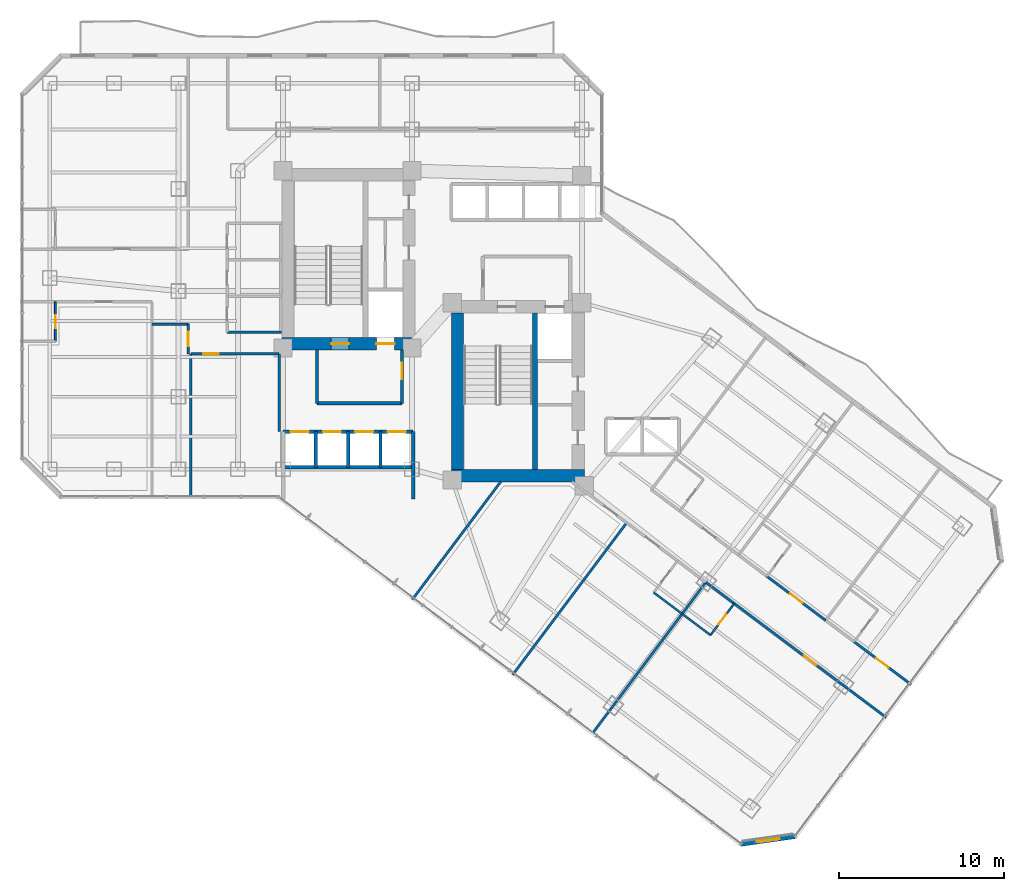
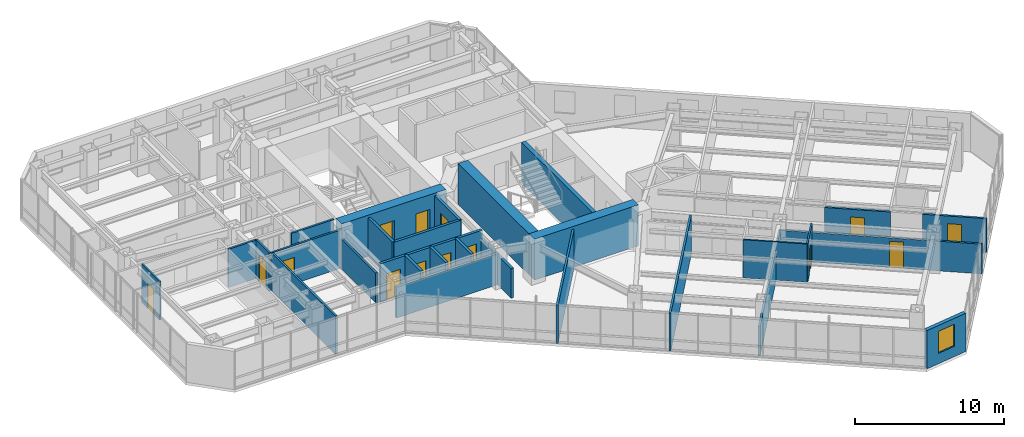
# One storey, part 28 of 36: 31 walls, 14 doors, 1 window, 15 openings.
"""IFC4 building model written with IfcOpenShell, lengths in metres."""

from ifc_helpers import new_model, si_unit, direction, frame, frame_2d, origin, place, context, subcontext, project, spatial, rectangle, extrude, material, layer, layer_set, type_object, element, fill, save


model = new_model("IFC4")

# Units and contexts
model_context = context("Model", 3, precision=1e-05, world=origin(), true_north=direction((0.0, 1.0)))
body_context = subcontext(model_context, "Body", "Model", "MODEL_VIEW")
ifc_project = project(units=[si_unit("LENGTHUNIT", "METRE"), si_unit("AREAUNIT", "SQUARE_METRE"), si_unit("VOLUMEUNIT", "CUBIC_METRE"), si_unit("PLANEANGLEUNIT", "RADIAN"), si_unit("MASSUNIT", "GRAM", prefix="KILO")], contexts=[model_context])

# Site, building, storey
site_placement = place(None, origin())
site = spatial("IfcSite", under=ifc_project, at=site_placement, CompositionType="ELEMENT")
building_placement = place(site_placement, origin())
building = spatial("IfcBuilding", under=site, at=building_placement, Name="Hatsunagi Terrace Concourse", CompositionType="ELEMENT")
storey_placement = place(building_placement, frame((0.0, 0.0, 84.64990234375)))
storey = spatial("IfcBuildingStorey", under=building, at=storey_placement, Name="L22", CompositionType="ELEMENT", Elevation=84.64990234375)

# Wall, openings, doors
ifc_material_1 = material(Name="Concrete Fc60", Category="concrete")
ifc_layer_1 = layer(ifc_material_1, 0.75)
ifc_layer_set_1 = layer_set([ifc_layer_1], Name="CoreShearWall_Fc60_750")
wall_type_1 = type_object("IfcWallType", Name="CoreShearWall_Fc60_750", PredefinedType="SHEAR", material=ifc_layer_set_1)
wall_1_placement = place(storey_placement, frame((25.469970703125, 32.81494140625, 0.0), z_axis=(0.0, 0.0, 1.0), x_axis=(1.0, 0.0, 0.0)))
wall_1 = element("IfcWall", 1, at=wall_1_placement, inside=storey, type_object=wall_type_1, Name="Core A Shear Wall S L22", PredefinedType="SHEAR", context=body_context, shape_type="SweptSolid", body=[
    extrude(rectangle(XDim=8.080078125, YDim=0.75, at=frame_2d((4.0400390625, 0.0))), origin(), (0.0, 0.0, 1.0), 3.35009765625),
])
opening_1_placement = place(wall_1_placement, frame((2.97998046875, 0.0, 0.0)))
opening_1 = element("IfcOpeningElement", 2, at=opening_1_placement, cuts=wall_1, Name="Opening DR-110S", PredefinedType="OPENING", context=body_context, shape_type="SweptSolid", body=[
    extrude(rectangle(XDim=1.10009765625, YDim=2.199951171875, at=frame_2d((0.550048828125, 1.10009765625))), frame((0.0, 0.385009765625, 0.0), z_axis=(0.0, -1.0, 0.0), x_axis=(1.0, 0.0, 0.0)), (0.0, 0.0, 1.0), 0.77001953125),
])
opening_2_placement = place(wall_1_placement, frame((5.72998046875, 0.0, 0.0)))
opening_2 = element("IfcOpeningElement", 3, at=opening_2_placement, cuts=wall_1, Name="Opening LD-01", PredefinedType="OPENING", context=body_context, shape_type="SweptSolid", body=[
    extrude(rectangle(XDim=1.10009765625, YDim=2.14990234375, at=frame_2d((0.550048828125, 1.074951171875))), frame((0.0, 0.385009765625, 0.0), z_axis=(0.0, -1.0, 0.0), x_axis=(1.0, 0.0, 0.0)), (0.0, 0.0, 1.0), 0.77001953125),
])
ifc_material_2 = material(Name="Stainless steel", Category="steel")
door_type_1 = type_object("IfcDoorType", Name="LiftLandingDoor_LD01", OperationType="SLIDING_TO_LEFT", PredefinedType="USERDEFINED", material=ifc_material_2)
door_1_placement = place(opening_2_placement, origin())
door_1 = element("IfcDoor", 4, at=door_1_placement, inside=storey, type_object=door_type_1, Name="Lift landing door FF-01 L22", ObjectType="SLIDING_LANDING_DOOR", OperationType="SLIDING_TO_LEFT", OverallHeight=2.14990234375, OverallWidth=1.10009765625, PredefinedType="USERDEFINED", context=body_context, shape_type="SweptSolid", body=[
    extrude(rectangle(XDim=1.10009765625, YDim=2.14990234375, at=frame_2d((0.550048828125, 1.074951171875))), frame((0.0, 0.02490234375, 0.0), z_axis=(0.0, -1.0, 0.0), x_axis=(1.0, 0.0, 0.0)), (0.0, 0.0, 1.0), 0.050048828125),
])
fill(opening_2, door_1)
ifc_material_3 = material(Name="Painted steel", Category="steel")
door_type_2 = type_object("IfcDoorType", Name="StairFireDoor_EI60_1100", OperationType="NOTDEFINED", PredefinedType="DOOR", material=ifc_material_3)
door_2_placement = place(opening_1_placement, origin())
door_2 = element("IfcDoor", 5, at=door_2_placement, inside=storey, type_object=door_type_2, Name="Stair ST-A Exit Door L22", OperationType="SINGLE_SWING_LEFT", OverallHeight=2.199951171875, OverallWidth=1.10009765625, PredefinedType="DOOR", context=body_context, shape_type="SweptSolid", body=[
    extrude(rectangle(XDim=1.10009765625, YDim=2.199951171875, at=frame_2d((0.550048828125, 1.10009765625))), frame((0.0, 0.02490234375, 0.0), z_axis=(0.0, -1.0, 0.0), x_axis=(1.0, 0.0, 0.0)), (0.0, 0.0, 1.0), 0.050048828125),
])
fill(opening_1, door_2)

# Walls
wall_2_placement = place(storey_placement, frame((35.739990234375, 24.81494140625, 0.0), z_axis=(0.0, 0.0, 1.0), x_axis=(1.0, 0.0, 0.0)))
element("IfcWall", 6, at=wall_2_placement, inside=storey, type_object=wall_type_1, Name="Core B Shear Wall S L22", PredefinedType="SHEAR", context=body_context, shape_type="SweptSolid", body=[
    extrude(rectangle(XDim=8.06005859375, YDim=0.75, at=frame_2d((4.030029296875, 0.0))), origin(), (0.0, 0.0, 1.0), 3.35009765625),
])
wall_3_placement = place(storey_placement, frame((36.114990234375, 25.18994140625, 0.0), z_axis=(0.0, 0.0, 1.0), x_axis=(0.0, 1.0, 0.0)))
element("IfcWall", 7, at=wall_3_placement, inside=storey, type_object=wall_type_1, Name="Core B Shear Wall W L22", PredefinedType="SHEAR", context=body_context, shape_type="SweptSolid", body=[
    extrude(rectangle(XDim=9.47998046875, YDim=0.75, at=frame_2d((4.739990234375, 0.0))), origin(), (0.0, 0.0, 1.0), 3.35009765625),
])
ifc_material_4 = material(Name="Concrete Fc48", Category="concrete")
ifc_layer_2 = layer(ifc_material_4, 0.300048828125)
ifc_layer_set_2 = layer_set([ifc_layer_2], Name="CoreStairDivider_Fc48_300")
wall_type_2 = type_object("IfcWallType", Name="CoreStairDivider_Fc48_300", PredefinedType="SHEAR", material=ifc_layer_set_2)
wall_4_placement = place(storey_placement, frame((40.81005859375, 25.18994140625, 0.0), z_axis=(0.0, 0.0, 1.0), x_axis=(0.0, 1.0, 0.0)))
element("IfcWall", 8, at=wall_4_placement, inside=storey, type_object=wall_type_2, Name="Core B Shear Wall D L22", PredefinedType="SHEAR", context=body_context, shape_type="SweptSolid", body=[
    extrude(rectangle(XDim=9.47998046875, YDim=0.300048828125, at=frame_2d((4.739990234375, 0.0))), origin(), (0.0, 0.0, 1.0), 3.35009765625),
])

# Wall, opening, door
ifc_material_5 = material(Name="Acoustic mineral board", Category="gypsum")
ifc_layer_3 = layer(ifc_material_5, 0.1201171875)
ifc_layer_set_3 = layer_set([ifc_layer_3], Name="PartitionWall_EI30_120")
wall_type_3 = type_object("IfcWallType", Name="PartitionWall_EI30_120", PredefinedType="PARTITIONING", material=ifc_layer_set_3)
wall_5_placement = place(storey_placement, frame((11.75, 32.949951171875, 0.0), z_axis=(0.0, 0.0, 1.0), x_axis=(0.0, 1.0, 0.0)))
wall_5 = element("IfcWall", 9, at=wall_5_placement, inside=storey, type_object=wall_type_3, Name="Interior Partition IW-L22-055", PredefinedType="PARTITIONING", context=body_context, shape_type="SweptSolid", body=[
    extrude(rectangle(XDim=2.400146484375, YDim=0.1201171875, at=frame_2d((1.2001953125, 0.0))), origin(), (0.0, 0.0, 1.0), 3.130126953125),
])
opening_3_placement = place(wall_5_placement, frame((0.800048828125, 0.0, 0.0)))
opening_3 = element("IfcOpeningElement", 10, at=opening_3_placement, cuts=wall_5, Name="Opening DR-080", PredefinedType="OPENING", context=body_context, shape_type="SweptSolid", body=[
    extrude(rectangle(XDim=0.800048828125, YDim=2.06005859375, at=frame_2d((0.39990234375, 1.030029296875))), frame((0.0, 0.070068359375, 0.0), z_axis=(0.0, -1.0, 0.0), x_axis=(1.0, 0.0, 0.0)), (0.0, 0.0, 1.0), 0.14013671875),
])
ifc_material_6 = material(Name="Hardwood timber", Category="wood")
door_type_3 = type_object("IfcDoorType", Name="BathroomDoor_800", OperationType="NOTDEFINED", PredefinedType="DOOR", material=ifc_material_6)
door_3_placement = place(opening_3_placement, origin())
door_3 = element("IfcDoor", 11, at=door_3_placement, inside=storey, type_object=door_type_3, Name="En-Suite Bathroom L22-S1 Door", OperationType="SINGLE_SWING_RIGHT", OverallHeight=2.06005859375, OverallWidth=0.800048828125, PredefinedType="DOOR", context=body_context, shape_type="SweptSolid", body=[
    extrude(rectangle(XDim=0.800048828125, YDim=2.06005859375, at=frame_2d((0.39990234375, 1.030029296875))), frame((0.0, 0.02490234375, 0.0), z_axis=(0.0, -1.0, 0.0), x_axis=(1.0, 0.0, 0.0)), (0.0, 0.0, 1.0), 0.050048828125),
])
fill(opening_3, door_3)

# Wall
wall_6_placement = place(storey_placement, frame((48.010009765625, 17.72998046875, 0.0), z_axis=(0.0, 0.0, 1.0), x_axis=(0.79998637334, -0.60001816845, 0.0)))
element("IfcWall", 12, at=wall_6_placement, inside=storey, type_object=wall_type_3, Name="Interior Partition IW-L22-078", PredefinedType="PARTITIONING", context=body_context, shape_type="SweptSolid", body=[
    extrude(rectangle(XDim=2.14990234375, YDim=0.1201171875, at=frame_2d((1.074951171875, 0.0))), origin(), (0.0, 0.0, 1.0), 3.130126953125),
])

# Wall, opening, door
wall_7_placement = place(storey_placement, frame((51.449951171875, 15.14990234375, 0.0), z_axis=(0.0, 0.0, 1.0), x_axis=(0.599951172744, 0.800036618114, 0.0)))
wall_7 = element("IfcWall", 13, at=wall_7_placement, inside=storey, type_object=wall_type_3, Name="Interior Partition IW-L22-082", PredefinedType="PARTITIONING", context=body_context, shape_type="SweptSolid", body=[
    extrude(rectangle(XDim=2.400146484375, YDim=0.1201171875, at=frame_2d((1.2001953125, 0.0))), origin(), (0.0, 0.0, 1.0), 3.130126953125),
])
opening_4_placement = place(wall_7_placement, frame((0.800048828125, 0.0, 0.0)))
opening_4 = element("IfcOpeningElement", 14, at=opening_4_placement, cuts=wall_7, Name="Opening DR-080", PredefinedType="OPENING", context=body_context, shape_type="SweptSolid", body=[
    extrude(rectangle(XDim=0.800048828125, YDim=2.06005859375, at=frame_2d((0.39990234375, 1.030029296875))), frame((0.0, 0.070068359375, 0.0), z_axis=(0.0, -1.0, 0.0), x_axis=(1.0, 0.0, 0.0)), (0.0, 0.0, 1.0), 0.14013671875),
])
door_4_placement = place(opening_4_placement, origin())
door_4 = element("IfcDoor", 15, at=door_4_placement, inside=storey, type_object=door_type_3, Name="En-Suite Bathroom L22-SESW2 Door", OperationType="SINGLE_SWING_RIGHT", OverallHeight=2.06005859375, OverallWidth=0.800048828125, PredefinedType="DOOR", context=body_context, shape_type="SweptSolid", body=[
    extrude(rectangle(XDim=0.800048828125, YDim=2.06005859375, at=frame_2d((0.39990234375, 1.030029296875))), frame((0.0, 0.02490234375, 0.0), z_axis=(0.0, -1.0, 0.0), x_axis=(1.0, 0.0, 0.0)), (0.0, 0.0, 1.0), 0.050048828125),
])
fill(opening_4, door_4)

# Walls
wall_8_placement = place(storey_placement, frame((49.72998046875, 16.43994140625, 0.0), z_axis=(0.0, 0.0, 1.0), x_axis=(0.79998637334, -0.60001816845, 0.0)))
element("IfcWall", 16, at=wall_8_placement, inside=storey, type_object=wall_type_3, Name="Interior Partition IW-L22-083", PredefinedType="PARTITIONING", context=body_context, shape_type="SweptSolid", body=[
    extrude(rectangle(XDim=2.14990234375, YDim=0.1201171875, at=frame_2d((1.074951171875, 0.0))), origin(), (0.0, 0.0, 1.0), 3.130126953125),
])
ifc_material_7 = material(Name="Acoustic mineral board", Category="gypsum")
ifc_layer_4 = layer(ifc_material_7, 0.14990234375)
ifc_layer_set_4 = layer_set([ifc_layer_4], Name="PartitionWall_EI60_150")
wall_type_4 = type_object("IfcWallType", Name="PartitionWall_EI60_150", PredefinedType="PARTITIONING", material=ifc_layer_set_4)
wall_9_placement = place(storey_placement, frame((22.14990234375, 33.5, 0.0), z_axis=(0.0, 0.0, 1.0), x_axis=(1.0, 0.0, 0.0)))
element("IfcWall", 17, at=wall_9_placement, inside=storey, type_object=wall_type_4, Name="Interior Partition IW-L22-030", PredefinedType="PARTITIONING", context=body_context, shape_type="SweptSolid", body=[
    extrude(rectangle(XDim=3.300048828125, YDim=0.14990234375, at=frame_2d((1.64990234375, 0.0))), origin(), (0.0, 0.0, 1.0), 3.130126953125),
])
wall_10_placement = place(storey_placement, frame((33.384033203125, 17.31201171875, 0.0), z_axis=(0.0, 0.0, 1.0), x_axis=(0.600008743659, 0.799993442181, 0.0)))
element("IfcWall", 18, at=wall_10_placement, inside=storey, type_object=wall_type_4, Name="Interior Partition IW-L22-043", PredefinedType="PARTITIONING", context=body_context, shape_type="SweptSolid", body=[
    extrude(rectangle(XDim=8.93505859375, YDim=0.14990234375, at=frame_2d((4.467529296875, 0.0))), origin(), (0.0, 0.0, 1.0), 3.130126953125),
])
wall_11_placement = place(storey_placement, frame((39.464111328125, 12.751953125, 0.0), z_axis=(0.0, 0.0, 1.0), x_axis=(0.6, 0.8, 0.0)))
element("IfcWall", 19, at=wall_11_placement, inside=storey, type_object=wall_type_4, Name="Interior Partition IW-L22-044", PredefinedType="PARTITIONING", context=body_context, shape_type="SweptSolid", body=[
    extrude(rectangle(XDim=11.510009765625, YDim=0.14990234375, at=frame_2d((5.7548828125, 0.0))), origin(), (0.0, 0.0, 1.0), 3.130126953125),
])

# Wall, opening, door
wall_12_placement = place(storey_placement, frame((19.949951171875, 32.199951171875, 0.0), z_axis=(0.0, 0.0, 1.0), x_axis=(1.0, 0.0, 0.0)))
wall_12 = element("IfcWall", 20, at=wall_12_placement, inside=storey, type_object=wall_type_4, Name="Interior Partition IW-L22-045", PredefinedType="PARTITIONING", context=body_context, shape_type="SweptSolid", body=[
    extrude(rectangle(XDim=5.35009765625, YDim=0.14990234375, at=frame_2d((2.675048828125, 0.0))), origin(), (0.0, 0.0, 1.0), 3.130126953125),
])
opening_5_placement = place(wall_12_placement, frame((0.743896484375, 0.0, 0.0)))
opening_5 = element("IfcOpeningElement", 21, at=opening_5_placement, cuts=wall_12, Name="Opening DR-095", PredefinedType="OPENING", context=body_context, shape_type="SweptSolid", body=[
    extrude(rectangle(XDim=0.949951171875, YDim=2.14990234375, at=frame_2d((0.47509765625, 1.074951171875))), frame((0.0, 0.0849609375, 0.0), z_axis=(0.0, -1.0, 0.0), x_axis=(1.0, 0.0, 0.0)), (0.0, 0.0, 1.0), 0.169921875),
])
ifc_material_8 = material(Name="Hardwood timber", Category="wood")
door_type_4 = type_object("IfcDoorType", Name="InteriorSuiteDoor_EI30_950", OperationType="NOTDEFINED", PredefinedType="DOOR", material=ifc_material_8)
door_5_placement = place(opening_5_placement, origin())
door_5 = element("IfcDoor", 22, at=door_5_placement, inside=storey, type_object=door_type_4, Name="Hotel Wellness Spa L22-HSPA Door", OperationType="SINGLE_SWING_LEFT", OverallHeight=2.14990234375, OverallWidth=0.949951171875, PredefinedType="DOOR", context=body_context, shape_type="SweptSolid", body=[
    extrude(rectangle(XDim=0.949951171875, YDim=2.14990234375, at=frame_2d((0.47509765625, 1.074951171875))), frame((0.0, 0.02490234375, 0.0), z_axis=(0.0, -1.0, 0.0), x_axis=(1.0, 0.0, 0.0)), (0.0, 0.0, 1.0), 0.050048828125),
])
fill(opening_5, door_5)

# Walls
wall_13_placement = place(storey_placement, frame((19.949951171875, 23.60009765625, 0.0), z_axis=(0.0, 0.0, 1.0), x_axis=(0.0, 1.0, 0.0)))
element("IfcWall", 23, at=wall_13_placement, inside=storey, type_object=wall_type_4, Name="Interior Partition IW-L22-046", PredefinedType="PARTITIONING", context=body_context, shape_type="SweptSolid", body=[
    extrude(rectangle(XDim=8.599853515625, YDim=0.14990234375, at=frame_2d((4.2998046875, 0.0))), origin(), (0.0, 0.0, 1.0), 3.130126953125),
])
wall_14_placement = place(storey_placement, frame((25.300048828125, 27.47998046875, 0.0), z_axis=(0.0, 0.0, 1.0), x_axis=(0.0, 1.0, 0.0)))
element("IfcWall", 24, at=wall_14_placement, inside=storey, type_object=wall_type_4, Name="Interior Partition IW-L22-047", PredefinedType="PARTITIONING", context=body_context, shape_type="SweptSolid", body=[
    extrude(rectangle(XDim=4.719970703125, YDim=0.14990234375, at=frame_2d((2.35986328125, 0.0))), origin(), (0.0, 0.0, 1.0), 2.425048828125),
])
wall_15_placement = place(storey_placement, frame((17.60009765625, 34.0, 0.0), z_axis=(0.0, 0.0, 1.0), x_axis=(1.0, 0.0, 0.0)))
element("IfcWall", 25, at=wall_15_placement, inside=storey, type_object=wall_type_4, Name="Interior Partition IW-L22-058", PredefinedType="PARTITIONING", context=body_context, shape_type="SweptSolid", body=[
    extrude(rectangle(XDim=2.199951171875, YDim=0.14990234375, at=frame_2d((1.10009765625, 0.0))), origin(), (0.0, 0.0, 1.0), 3.130126953125),
])

# Wall, opening, door
wall_16_placement = place(storey_placement, frame((19.800048828125, 32.199951171875, 0.0), z_axis=(0.0, 0.0, 1.0), x_axis=(0.0, 1.0, 0.0)))
wall_16 = element("IfcWall", 26, at=wall_16_placement, inside=storey, type_object=wall_type_4, Name="Interior Partition IW-L22-059", PredefinedType="PARTITIONING", context=body_context, shape_type="SweptSolid", body=[
    extrude(rectangle(XDim=1.800048828125, YDim=0.14990234375, at=frame_2d((0.89990234375, 0.0))), origin(), (0.0, 0.0, 1.0), 3.130126953125),
])
opening_6_placement = place(wall_16_placement, frame((0.449951171875, 0.0, 0.0)))
opening_6 = element("IfcOpeningElement", 27, at=opening_6_placement, cuts=wall_16, Name="Opening DR-090", PredefinedType="OPENING", context=body_context, shape_type="SweptSolid", body=[
    extrude(rectangle(XDim=0.89990234375, YDim=2.14990234375, at=frame_2d((0.449951171875, 1.074951171875))), frame((0.0, 0.0849609375, 0.0), z_axis=(0.0, -1.0, 0.0), x_axis=(1.0, 0.0, 0.0)), (0.0, 0.0, 1.0), 0.169921875),
])
ifc_material_9 = material(Name="Hardwood timber", Category="wood")
door_type_5 = type_object("IfcDoorType", Name="CrownPavilionDoor_EI30_900", OperationType="NOTDEFINED", PredefinedType="DOOR", material=ifc_material_9)
door_6_placement = place(opening_6_placement, origin())
door_6 = element("IfcDoor", 28, at=door_6_placement, inside=storey, type_object=door_type_5, Name="Catering Pantry L22-HPAN Door", OperationType="SINGLE_SWING_RIGHT", OverallHeight=2.14990234375, OverallWidth=0.89990234375, PredefinedType="DOOR", context=body_context, shape_type="SweptSolid", body=[
    extrude(rectangle(XDim=0.89990234375, YDim=2.14990234375, at=frame_2d((0.449951171875, 1.074951171875))), frame((0.0, 0.02490234375, 0.0), z_axis=(0.0, -1.0, 0.0), x_axis=(1.0, 0.0, 0.0)), (0.0, 0.0, 1.0), 0.050048828125),
])
fill(opening_6, door_6)

wall_17_placement = place(storey_placement, frame((54.8701171875, 18.7099609375, 0.0), z_axis=(0.0, 0.0, 1.0), x_axis=(0.799993416095, -0.600008778439, 0.0)))
wall_17 = element("IfcWall", 29, at=wall_17_placement, inside=storey, type_object=wall_type_4, Name="Interior Partition IW-L22-067", PredefinedType="PARTITIONING", context=body_context, shape_type="SweptSolid", body=[
    extrude(rectangle(XDim=4.44970703125, YDim=0.14990234375, at=frame_2d((2.224853515625, 0.0))), origin(), (0.0, 0.0, 1.0), 2.775146484375),
])
opening_7_placement = place(wall_17_placement, frame((1.75, 0.0, 0.0)))
opening_7 = element("IfcOpeningElement", 30, at=opening_7_placement, cuts=wall_17, Name="Opening DR-095", PredefinedType="OPENING", context=body_context, shape_type="SweptSolid", body=[
    extrude(rectangle(XDim=0.949951171875, YDim=2.14990234375, at=frame_2d((0.47509765625, 1.074951171875))), frame((0.0, 0.0849609375, 0.0), z_axis=(0.0, -1.0, 0.0), x_axis=(1.0, 0.0, 0.0)), (0.0, 0.0, 1.0), 0.169921875),
])
door_7_placement = place(opening_7_placement, origin())
door_7 = element("IfcDoor", 31, at=door_7_placement, inside=storey, type_object=door_type_4, Name="Hotel Guest Room L22-SENE2 Door", OperationType="SINGLE_SWING_LEFT", OverallHeight=2.14990234375, OverallWidth=0.949951171875, PredefinedType="DOOR", context=body_context, shape_type="SweptSolid", body=[
    extrude(rectangle(XDim=0.949951171875, YDim=2.14990234375, at=frame_2d((0.47509765625, 1.074951171875))), frame((0.0, 0.02490234375, 0.0), z_axis=(0.0, -1.0, 0.0), x_axis=(1.0, 0.0, 0.0)), (0.0, 0.0, 1.0), 0.050048828125),
])
fill(opening_7, door_7)

wall_18_placement = place(storey_placement, frame((60.14990234375, 14.75, 0.0), z_axis=(0.0, 0.0, 1.0), x_axis=(0.800006797429, -0.599990936654, 0.0)))
wall_18 = element("IfcWall", 32, at=wall_18_placement, inside=storey, type_object=wall_type_4, Name="Interior Partition IW-L22-072", PredefinedType="PARTITIONING", context=body_context, shape_type="SweptSolid", body=[
    extrude(rectangle(XDim=4.31005859375, YDim=0.14990234375, at=frame_2d((2.155029296875, 0.0))), origin(), (0.0, 0.0, 1.0), 2.775146484375),
])
opening_8_placement = place(wall_18_placement, frame((1.679931640625, 0.0, 0.0)))
opening_8 = element("IfcOpeningElement", 33, at=opening_8_placement, cuts=wall_18, Name="Opening DR-095", PredefinedType="OPENING", context=body_context, shape_type="SweptSolid", body=[
    extrude(rectangle(XDim=0.949951171875, YDim=2.14990234375, at=frame_2d((0.47509765625, 1.074951171875))), frame((0.0, 0.0849609375, 0.0), z_axis=(0.0, -1.0, 0.0), x_axis=(1.0, 0.0, 0.0)), (0.0, 0.0, 1.0), 0.169921875),
])
door_8_placement = place(opening_8_placement, origin())
door_8 = element("IfcDoor", 34, at=door_8_placement, inside=storey, type_object=door_type_4, Name="Hotel Guest Room L22-SENE3 Door", OperationType="SINGLE_SWING_LEFT", OverallHeight=2.14990234375, OverallWidth=0.949951171875, PredefinedType="DOOR", context=body_context, shape_type="SweptSolid", body=[
    extrude(rectangle(XDim=0.949951171875, YDim=2.14990234375, at=frame_2d((0.47509765625, 1.074951171875))), frame((0.0, 0.02490234375, 0.0), z_axis=(0.0, -1.0, 0.0), x_axis=(1.0, 0.0, 0.0)), (0.0, 0.0, 1.0), 0.050048828125),
])
fill(opening_8, door_8)

# Walls
wall_19_placement = place(storey_placement, frame((44.360107421875, 9.280029296875, 0.0), z_axis=(0.0, 0.0, 1.0), x_axis=(0.599986233332, 0.800010324816, 0.0)))
element("IfcWall", 35, at=wall_19_placement, inside=storey, type_object=wall_type_4, Name="Interior Partition IW-L22-079", PredefinedType="PARTITIONING", context=body_context, shape_type="SweptSolid", body=[
    extrude(rectangle(XDim=11.349853515625, YDim=0.14990234375, at=frame_2d((5.6748046875, 0.0))), origin(), (0.0, 0.0, 1.0), 2.425048828125),
])
wall_20_placement = place(storey_placement, frame((51.169921875, 18.360107421875, 0.0), z_axis=(0.0, 0.0, 1.0), x_axis=(0.79998637334, -0.60001816845, 0.0)))
element("IfcWall", 36, at=wall_20_placement, inside=storey, type_object=wall_type_4, Name="Interior Partition IW-L22-080", PredefinedType="PARTITIONING", context=body_context, shape_type="SweptSolid", body=[
    extrude(rectangle(XDim=2.14990234375, YDim=0.14990234375, at=frame_2d((1.074951171875, 0.0))), origin(), (0.0, 0.0, 1.0), 2.425048828125),
])

# Wall, opening, door
wall_21_placement = place(storey_placement, frame((52.889892578125, 17.070068359375, 0.0), z_axis=(0.0, 0.0, 1.0), x_axis=(0.8, -0.6, 0.0)))
wall_21 = element("IfcWall", 37, at=wall_21_placement, inside=storey, type_object=wall_type_4, Name="Interior Partition IW-L22-081", PredefinedType="PARTITIONING", context=body_context, shape_type="SweptSolid", body=[
    extrude(rectangle(XDim=11.510009765625, YDim=0.14990234375, at=frame_2d((5.7548828125, 0.0))), origin(), (0.0, 0.0, 1.0), 2.425048828125),
])
opening_9_placement = place(wall_21_placement, frame((5.280029296875, 0.0, 0.0)))
opening_9 = element("IfcOpeningElement", 38, at=opening_9_placement, cuts=wall_21, Name="Opening DR-095", PredefinedType="OPENING", context=body_context, shape_type="SweptSolid", body=[
    extrude(rectangle(XDim=0.949951171875, YDim=2.14990234375, at=frame_2d((0.47509765625, 1.074951171875))), frame((0.0, 0.0849609375, 0.0), z_axis=(0.0, -1.0, 0.0), x_axis=(1.0, 0.0, 0.0)), (0.0, 0.0, 1.0), 0.169921875),
])
door_9_placement = place(opening_9_placement, origin())
door_9 = element("IfcDoor", 39, at=door_9_placement, inside=storey, type_object=door_type_4, Name="Corner Hotel Suite L22-SESW2 Door", OperationType="SINGLE_SWING_RIGHT", OverallHeight=2.14990234375, OverallWidth=0.949951171875, PredefinedType="DOOR", context=body_context, shape_type="SweptSolid", body=[
    extrude(rectangle(XDim=0.949951171875, YDim=2.14990234375, at=frame_2d((0.47509765625, 1.074951171875))), frame((0.0, 0.02490234375, 0.0), z_axis=(0.0, -1.0, 0.0), x_axis=(1.0, 0.0, 0.0)), (0.0, 0.0, 1.0), 0.050048828125),
])
fill(opening_9, door_9)

# Walls
ifc_material_10 = material(Name="Acoustic mineral board", Category="gypsum")
ifc_layer_5 = layer(ifc_material_10, 0.199951171875)
ifc_layer_set_5 = layer_set([ifc_layer_5], Name="ShaftWall_EI120_200")
wall_type_5 = type_object("IfcWallType", Name="ShaftWall_EI120_200", PredefinedType="STANDARD", material=ifc_layer_set_5)
wall_22_placement = place(storey_placement, frame((27.60009765625, 29.199951171875, 0.0), z_axis=(0.0, 0.0, 1.0), x_axis=(1.0, 0.0, 0.0)))
element("IfcWall", 40, at=wall_22_placement, inside=storey, type_object=wall_type_5, Name="Interior Partition IW-L22-006", PredefinedType="STANDARD", context=body_context, shape_type="SweptSolid", body=[
    extrude(rectangle(XDim=5.14990234375, YDim=0.199951171875, at=frame_2d((2.574951171875, 0.0))), origin(), (0.0, 0.0, 1.0), 3.130126953125),
])
wall_23_placement = place(storey_placement, frame((27.60009765625, 29.199951171875, 0.0), z_axis=(0.0, 0.0, 1.0), x_axis=(0.0, 1.0, 0.0)))
element("IfcWall", 41, at=wall_23_placement, inside=storey, type_object=wall_type_5, Name="Interior Partition IW-L22-007", PredefinedType="STANDARD", context=body_context, shape_type="SweptSolid", body=[
    extrude(rectangle(XDim=3.239990234375, YDim=0.199951171875, at=frame_2d((1.6201171875, 0.0))), origin(), (0.0, 0.0, 1.0), 3.130126953125),
])

# Wall, opening, door
wall_24_placement = place(storey_placement, frame((32.75, 29.199951171875, 0.0), z_axis=(0.0, 0.0, 1.0), x_axis=(0.0, 1.0, 0.0)))
wall_24 = element("IfcWall", 42, at=wall_24_placement, inside=storey, type_object=wall_type_5, Name="Interior Partition IW-L22-008", PredefinedType="STANDARD", context=body_context, shape_type="SweptSolid", body=[
    extrude(rectangle(XDim=3.239990234375, YDim=0.199951171875, at=frame_2d((1.6201171875, 0.0))), origin(), (0.0, 0.0, 1.0), 3.130126953125),
])
opening_10_placement = place(wall_24_placement, frame((1.449951171875, 0.0, 0.0)))
opening_10 = element("IfcOpeningElement", 43, at=opening_10_placement, cuts=wall_24, Name="Opening DR-100F", PredefinedType="OPENING", context=body_context, shape_type="SweptSolid", body=[
    extrude(rectangle(XDim=1.0, YDim=2.199951171875, at=frame_2d((0.5, 1.10009765625))), frame((0.0, 0.10986328125, 0.0), z_axis=(0.0, -1.0, 0.0), x_axis=(1.0, 0.0, 0.0)), (0.0, 0.0, 1.0), 0.219970703125),
])
ifc_material_11 = material(Name="Painted steel", Category="steel")
door_type_6 = type_object("IfcDoorType", Name="FireDoor_EI60_1000", OperationType="NOTDEFINED", PredefinedType="DOOR", material=ifc_material_11)
door_10_placement = place(opening_10_placement, origin())
door_10 = element("IfcDoor", 44, at=door_10_placement, inside=storey, type_object=door_type_6, Name="Firefighting Lobby A Door L22", OperationType="SINGLE_SWING_RIGHT", OverallHeight=2.199951171875, OverallWidth=1.0, PredefinedType="DOOR", context=body_context, shape_type="SweptSolid", body=[
    extrude(rectangle(XDim=1.0, YDim=2.199951171875, at=frame_2d((0.5, 1.10009765625))), frame((0.0, 0.02490234375, 0.0), z_axis=(0.0, -1.0, 0.0), x_axis=(1.0, 0.0, 0.0)), (0.0, 0.0, 1.0), 0.050048828125),
])
fill(opening_10, door_10)

# Walls
wall_25_placement = place(storey_placement, frame((33.429931640625, 23.39990234375, 0.0), z_axis=(0.0, 0.0, 1.0), x_axis=(0.0, 1.0, 0.0)))
element("IfcWall", 45, at=wall_25_placement, inside=storey, type_object=wall_type_5, Name="Interior Partition IW-L22-013", PredefinedType="STANDARD", context=body_context, shape_type="SweptSolid", body=[
    extrude(rectangle(XDim=4.080078125, YDim=0.199951171875, at=frame_2d((2.0400390625, 0.0))), origin(), (0.0, 0.0, 1.0), 2.425048828125),
])
wall_26_placement = place(storey_placement, frame((25.550048828125, 25.320068359375, 0.0), z_axis=(0.0, 0.0, 1.0), x_axis=(1.0, 0.0, 0.0)))
element("IfcWall", 46, at=wall_26_placement, inside=storey, type_object=wall_type_5, Name="Interior Partition IW-L22-014", PredefinedType="STANDARD", context=body_context, shape_type="SweptSolid", body=[
    extrude(rectangle(XDim=7.8798828125, YDim=0.199951171875, at=frame_2d((3.93994140625, 0.0))), origin(), (0.0, 0.0, 1.0), 2.525146484375),
])
for number, where, z_axis, x_axis, name in (
    (47, (27.530029296875, 25.320068359375, 0.0), (0.0, 0.0, 1.0), (0.0, 1.0, 0.0), "Interior Partition IW-L22-015"),
    (48, (29.489990234375, 25.320068359375, 0.0), (0.0, 0.0, 1.0), (0.0, 1.0, 0.0), "Interior Partition IW-L22-016"),
    (49, (31.449951171875, 25.320068359375, 0.0), (0.0, 0.0, 1.0), (0.0, 1.0, 0.0), "Interior Partition IW-L22-017"),
):
    element("IfcWall", number, at=place(storey_placement, frame(where, z_axis=z_axis, x_axis=x_axis)), inside=storey, type_object=wall_type_5, Name=name, PredefinedType="STANDARD", context=body_context, shape_type="SweptSolid", body=[
        extrude(rectangle(XDim=2.159912109375, YDim=0.199951171875, at=frame_2d((1.080078125, 0.0))), origin(), (0.0, 0.0, 1.0), 3.130126953125),
    ])

# Wall, openings, doors
wall_27_placement = place(storey_placement, frame((25.550048828125, 27.47998046875, 0.0), z_axis=(0.0, 0.0, 1.0), x_axis=(1.0, 0.0, 0.0)))
wall_27 = element("IfcWall", 50, at=wall_27_placement, inside=storey, type_object=wall_type_5, Name="Interior Partition IW-L22-018", PredefinedType="STANDARD", context=body_context, shape_type="SweptSolid", body=[
    extrude(rectangle(XDim=7.8798828125, YDim=0.199951171875, at=frame_2d((3.93994140625, 0.0))), origin(), (0.0, 0.0, 1.0), 3.130126953125),
])
opening_11_placement = place(wall_27_placement, frame((0.4599609375, 0.0, 0.0)))
opening_11 = element("IfcOpeningElement", 51, at=opening_11_placement, cuts=wall_27, Name="Opening LD-03", PredefinedType="OPENING", context=body_context, shape_type="SweptSolid", body=[
    extrude(rectangle(XDim=1.080078125, YDim=2.14990234375, at=frame_2d((0.5400390625, 1.074951171875))), frame((0.0, 0.10986328125, 0.0), z_axis=(0.0, -1.0, 0.0), x_axis=(1.0, 0.0, 0.0)), (0.0, 0.0, 1.0), 0.219970703125),
])
opening_12_placement = place(wall_27_placement, frame((2.419921875, 0.0, 0.0)))
opening_12 = element("IfcOpeningElement", 52, at=opening_12_placement, cuts=wall_27, Name="Opening LD-03", PredefinedType="OPENING", context=body_context, shape_type="SweptSolid", body=[
    extrude(rectangle(XDim=1.080078125, YDim=2.14990234375, at=frame_2d((0.5400390625, 1.074951171875))), frame((0.0, 0.10986328125, 0.0), z_axis=(0.0, -1.0, 0.0), x_axis=(1.0, 0.0, 0.0)), (0.0, 0.0, 1.0), 0.219970703125),
])
opening_13_placement = place(wall_27_placement, frame((4.3798828125, 0.0, 0.0)))
opening_13 = element("IfcOpeningElement", 53, at=opening_13_placement, cuts=wall_27, Name="Opening LD-03", PredefinedType="OPENING", context=body_context, shape_type="SweptSolid", body=[
    extrude(rectangle(XDim=1.080078125, YDim=2.14990234375, at=frame_2d((0.5400390625, 1.074951171875))), frame((0.0, 0.10986328125, 0.0), z_axis=(0.0, -1.0, 0.0), x_axis=(1.0, 0.0, 0.0)), (0.0, 0.0, 1.0), 0.219970703125),
])
opening_14_placement = place(wall_27_placement, frame((6.340087890625, 0.0, 0.0)))
opening_14 = element("IfcOpeningElement", 54, at=opening_14_placement, cuts=wall_27, Name="Opening LD-03", PredefinedType="OPENING", context=body_context, shape_type="SweptSolid", body=[
    extrude(rectangle(XDim=1.080078125, YDim=2.14990234375, at=frame_2d((0.5400390625, 1.074951171875))), frame((0.0, 0.10986328125, 0.0), z_axis=(0.0, -1.0, 0.0), x_axis=(1.0, 0.0, 0.0)), (0.0, 0.0, 1.0), 0.219970703125),
])
ifc_material_12 = material(Name="Stainless steel", Category="steel")
door_type_7 = type_object("IfcDoorType", Name="LiftLandingDoor_LD03", OperationType="SLIDING_TO_LEFT", PredefinedType="USERDEFINED", material=ifc_material_12)
door_11_placement = place(opening_11_placement, origin())
door_11 = element("IfcDoor", 55, at=door_11_placement, inside=storey, type_object=door_type_7, Name="Lift landing door PL-01 L22", ObjectType="SLIDING_LANDING_DOOR", OperationType="SLIDING_TO_LEFT", OverallHeight=2.14990234375, OverallWidth=1.080078125, PredefinedType="USERDEFINED", context=body_context, shape_type="SweptSolid", body=[
    extrude(rectangle(XDim=1.080078125, YDim=2.14990234375, at=frame_2d((0.5400390625, 1.074951171875))), frame((0.0, 0.02490234375, 0.0), z_axis=(0.0, -1.0, 0.0), x_axis=(1.0, 0.0, 0.0)), (0.0, 0.0, 1.0), 0.050048828125),
])
fill(opening_11, door_11)
door_12_placement = place(opening_12_placement, origin())
door_12 = element("IfcDoor", 56, at=door_12_placement, inside=storey, type_object=door_type_7, Name="Lift landing door PL-02 L22", ObjectType="SLIDING_LANDING_DOOR", OperationType="SLIDING_TO_LEFT", OverallHeight=2.14990234375, OverallWidth=1.080078125, PredefinedType="USERDEFINED", context=body_context, shape_type="SweptSolid", body=[
    extrude(rectangle(XDim=1.080078125, YDim=2.14990234375, at=frame_2d((0.5400390625, 1.074951171875))), frame((0.0, 0.02490234375, 0.0), z_axis=(0.0, -1.0, 0.0), x_axis=(1.0, 0.0, 0.0)), (0.0, 0.0, 1.0), 0.050048828125),
])
fill(opening_12, door_12)
door_13_placement = place(opening_13_placement, origin())
door_13 = element("IfcDoor", 57, at=door_13_placement, inside=storey, type_object=door_type_7, Name="Lift landing door PL-03 L22", ObjectType="SLIDING_LANDING_DOOR", OperationType="SLIDING_TO_LEFT", OverallHeight=2.14990234375, OverallWidth=1.080078125, PredefinedType="USERDEFINED", context=body_context, shape_type="SweptSolid", body=[
    extrude(rectangle(XDim=1.080078125, YDim=2.14990234375, at=frame_2d((0.5400390625, 1.074951171875))), frame((0.0, 0.02490234375, 0.0), z_axis=(0.0, -1.0, 0.0), x_axis=(1.0, 0.0, 0.0)), (0.0, 0.0, 1.0), 0.050048828125),
])
fill(opening_13, door_13)
door_14_placement = place(opening_14_placement, origin())
door_14 = element("IfcDoor", 58, at=door_14_placement, inside=storey, type_object=door_type_7, Name="Lift landing door PL-04 L22", ObjectType="SLIDING_LANDING_DOOR", OperationType="SLIDING_TO_LEFT", OverallHeight=2.14990234375, OverallWidth=1.080078125, PredefinedType="USERDEFINED", context=body_context, shape_type="SweptSolid", body=[
    extrude(rectangle(XDim=1.080078125, YDim=2.14990234375, at=frame_2d((0.5400390625, 1.074951171875))), frame((0.0, 0.02490234375, 0.0), z_axis=(0.0, -1.0, 0.0), x_axis=(1.0, 0.0, 0.0)), (0.0, 0.0, 1.0), 0.050048828125),
])
fill(opening_14, door_14)

# Wall, opening, window
ifc_material_13 = material(Name="Autoclaved Lightweight Concrete and Terracotta Cladding", Category="masonry")
ifc_layer_6 = layer(ifc_material_13, 0.280029296875)
ifc_layer_set_6 = layer_set([ifc_layer_6], Name="TerracottaSpandrelWall_280")
wall_type_6 = type_object("IfcWallType", Name="TerracottaSpandrelWall_280", PredefinedType="STANDARD", material=ifc_layer_set_6)
wall_28_placement = place(storey_placement, frame((56.56298828125, 2.949951171875, 0.0), z_axis=(0.0, 0.0, 1.0), x_axis=(-0.989977778067, -0.141223223777, 0.0)))
wall_28 = element("IfcWall", 59, at=wall_28_placement, inside=storey, type_object=wall_type_6, Name="Exterior Spandrel Wall EW-L22-04", PredefinedType="STANDARD", context=body_context, shape_type="SweptSolid", body=[
    extrude(rectangle(XDim=3.27783203125, YDim=0.280029296875, at=frame_2d((1.638916015625, 0.0))), origin(), (0.0, 0.0, 1.0), 3.130126953125),
])
opening_15_placement = place(wall_28_placement, frame((0.93896484375, 0.0, 0.85009765625)))
opening_15 = element("IfcOpeningElement", 60, at=opening_15_placement, cuts=wall_28, Name="Opening WIN-02", PredefinedType="OPENING", context=body_context, shape_type="SweptSolid", body=[
    extrude(rectangle(XDim=1.39990234375, YDim=1.800048828125, at=frame_2d((0.699951171875, 0.89990234375))), frame((0.0, 0.14990234375, 0.0), z_axis=(0.0, -1.0, 0.0), x_axis=(1.0, 0.0, 0.0)), (0.0, 0.0, 1.0), 0.300048828125),
])
ifc_material_14 = material(Name="Thermally Broken Aluminium and Low-E Triple Glazing", Category="aluminium")
window_type = type_object("IfcWindowType", Name="HotelOperableVentWindow_1400x1800", PartitioningType="DOUBLE_PANEL_VERTICAL", PredefinedType="WINDOW", material=ifc_material_14)
window_placement = place(opening_15_placement, origin())
window = element("IfcWindow", 61, at=window_placement, inside=storey, type_object=window_type, Name="Hotel Guestroom Window L22-04-1", OverallHeight=1.800048828125, OverallWidth=1.39990234375, PartitioningType="SINGLE_PANEL", PredefinedType="WINDOW", context=body_context, shape_type="SweptSolid", body=[
    extrude(rectangle(XDim=1.39990234375, YDim=1.800048828125, at=frame_2d((0.699951171875, 0.89990234375))), frame((0.0, 0.030029296875, 0.0), z_axis=(0.0, -1.0, 0.0), x_axis=(1.0, 0.0, 0.0)), (0.0, 0.0, 1.0), 0.06005859375),
])
fill(opening_15, window)

save(model, "model.ifc")
